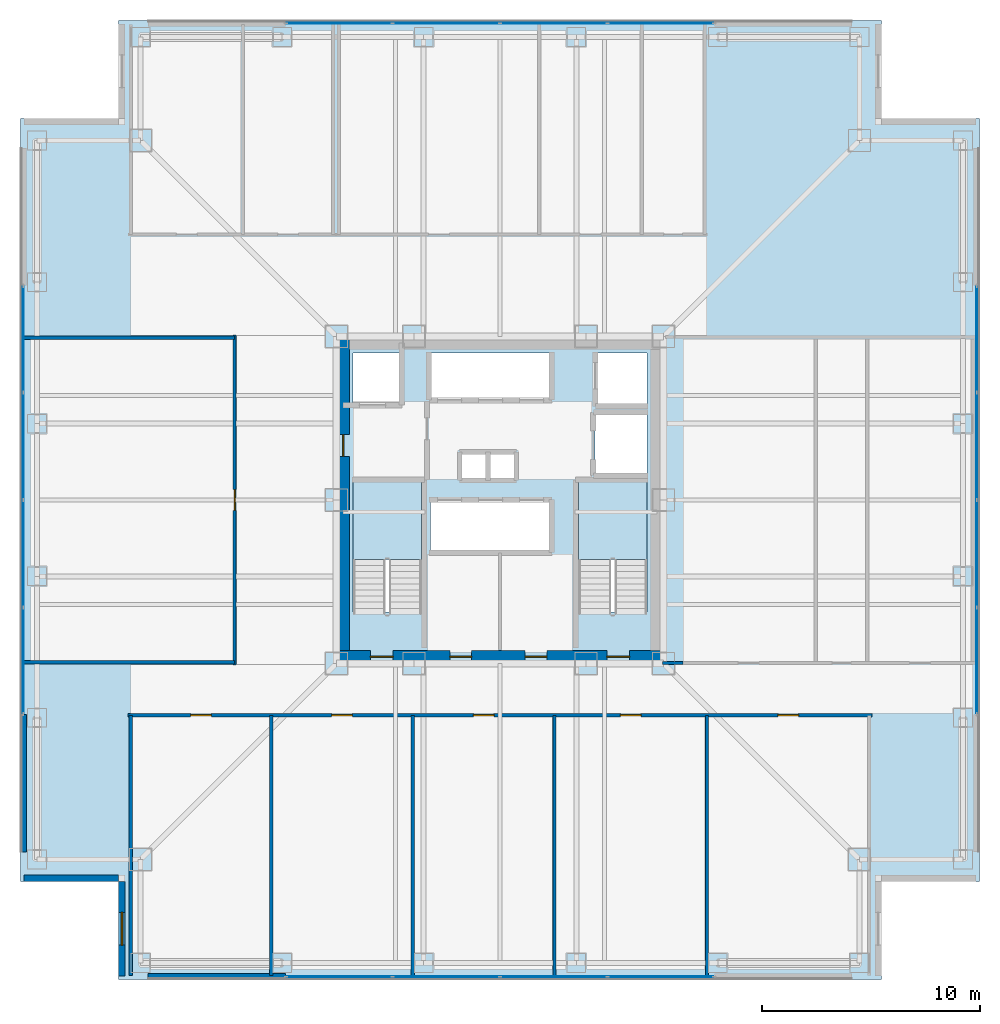
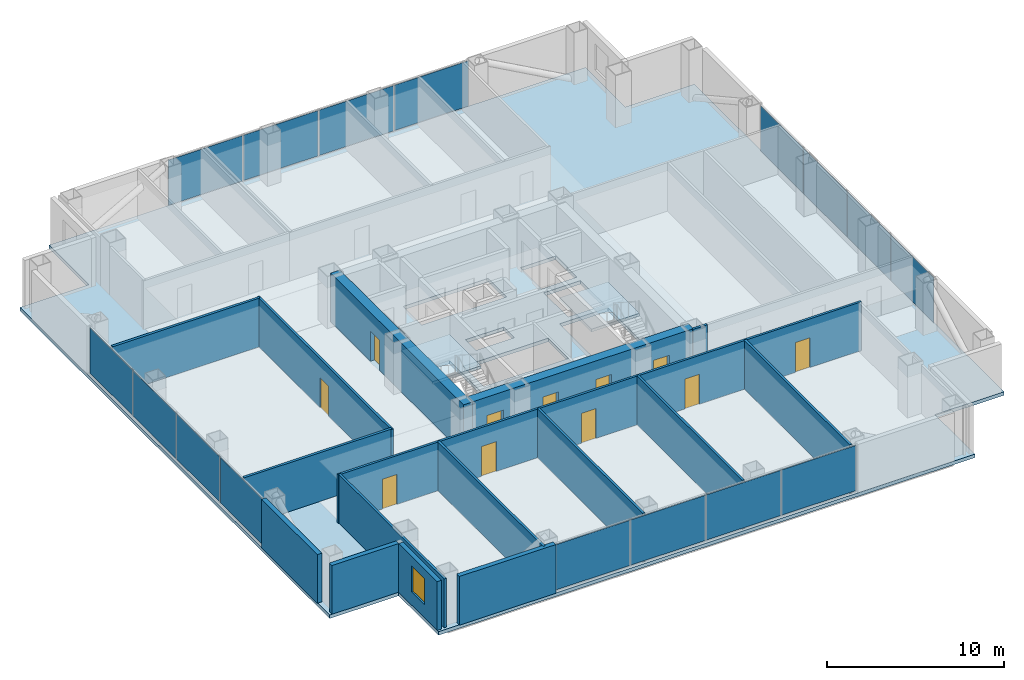
# One storey, part 8 of 13: 16 plates, 16 walls, 11 doors, 3 slabs, 1 window, 12 openings, 6 elements without a shape of their own.
"""IFC4 building model written with IfcOpenShell, lengths in metres."""

from ifc_helpers import new_model, si_unit, direction, frame, frame_2d, origin, origin_2d, place, context, subcontext, project, spatial, polyline, rectangle, outline, extrude, material, layer, layer_set, type_object, element, fill, aggregate, save


model = new_model("IFC4")

# Units and contexts
model_context = context("Model", 3, precision=1e-05, world=origin(), true_north=direction((0.0, 1.0)))
body_context = subcontext(model_context, "Body", "Model", "MODEL_VIEW")
ifc_project = project(units=[si_unit("LENGTHUNIT", "METRE"), si_unit("AREAUNIT", "SQUARE_METRE"), si_unit("VOLUMEUNIT", "CUBIC_METRE"), si_unit("PLANEANGLEUNIT", "RADIAN"), si_unit("MASSUNIT", "GRAM", prefix="KILO")], contexts=[model_context])

# Site, building, storey
site_placement = place(None, origin())
site = spatial("IfcSite", under=ifc_project, at=site_placement, CompositionType="ELEMENT")
building_placement = place(site_placement, origin())
building = spatial("IfcBuilding", under=site, at=building_placement, Name="Trevonay Congress Spire", CompositionType="ELEMENT")
storey_placement = place(building_placement, frame((0.0, 0.0, 112.0)))
storey = spatial("IfcBuildingStorey", under=building, at=storey_placement, Name="L28", CompositionType="ELEMENT", Elevation=112.0)

# Curtain wall, plates
ifc_material_1 = material(Name="Pale Anodised Aluminium EN AW-6063-T6", Category="aluminium")
ifc_layer_1 = layer(ifc_material_1, 0.175048828125, Name="Pale Anodised Aluminium EN AW-6063-T6")
ifc_layer_set_1 = layer_set([ifc_layer_1], Name="Pale Anodised Aluminium EN AW-6063-T6")
curtain_wall_type = type_object("IfcCurtainWallType", Name="CW-SYS03-CONGRESS-PALE-METAL", PredefinedType="NOTDEFINED", material=ifc_layer_set_1)
curtain_wall_1_placement = place(storey_placement, origin())
curtain_wall_1 = element("IfcCurtainWall", 1, at=curtain_wall_1_placement, inside=storey, type_object=curtain_wall_type, Name="L28 S unitised curtain wall", PredefinedType="NOTDEFINED")
ifc_material_2 = material(Name="Insulated Low-E Vision Glass IGU", Category="glass")
ifc_layer_2 = layer(ifc_material_2, 0.035888671875, Name="Insulated Low-E Vision Glass IGU")
ifc_layer_set_2 = layer_set([ifc_layer_2], Name="Insulated Low-E Vision Glass IGU")
plate_type = type_object("IfcPlateType", Name="CW-PANEL-IGU36-SILVER", PredefinedType="CURTAIN_PANEL", material=ifc_layer_set_2)
plate_1_placement = place(storey_placement, frame((-7.37255859375, -21.8798828125, 0.119873046875), z_axis=(0.0, 0.0, 1.0), x_axis=(1.0, 0.0, 0.0)))
plate_1 = element("IfcPlate", 2, at=plate_1_placement, type_object=plate_type, Name="CW03 panel 1.1", PredefinedType="CURTAIN_PANEL", context=body_context, shape_type="SweptSolid", body=[
    extrude(rectangle(XDim=4.8349609375, YDim=0.035888671875, at=origin_2d()), origin(), (0.0, 0.0, 1.0), 3.1201171875),
])
plate_2_placement = place(storey_placement, frame((-2.46240234375, -21.8798828125, 0.119873046875), z_axis=(0.0, 0.0, 1.0), x_axis=(1.0, 0.0, 0.0)))
plate_2 = element("IfcPlate", 3, at=plate_2_placement, type_object=plate_type, Name="CW03 panel 2.1", PredefinedType="CURTAIN_PANEL", context=body_context, shape_type="SweptSolid", body=[
    extrude(rectangle(XDim=4.864990234375, YDim=0.035888671875, at=origin_2d()), origin(), (0.0, 0.0, 1.0), 3.1201171875),
])
plate_3_placement = place(storey_placement, frame((2.46240234375, -21.8798828125, 0.119873046875), z_axis=(0.0, 0.0, 1.0), x_axis=(1.0, 0.0, 0.0)))
plate_3 = element("IfcPlate", 4, at=plate_3_placement, type_object=plate_type, Name="CW03 panel 3.1", PredefinedType="CURTAIN_PANEL", context=body_context, shape_type="SweptSolid", body=[
    extrude(rectangle(XDim=4.864990234375, YDim=0.035888671875, at=origin_2d()), origin(), (0.0, 0.0, 1.0), 3.1201171875),
])
plate_4_placement = place(storey_placement, frame((7.37255859375, -21.8798828125, 0.119873046875), z_axis=(0.0, 0.0, 1.0), x_axis=(1.0, 0.0, 0.0)))
plate_4 = element("IfcPlate", 5, at=plate_4_placement, type_object=plate_type, Name="CW03 panel 4.1", PredefinedType="CURTAIN_PANEL", context=body_context, shape_type="SweptSolid", body=[
    extrude(rectangle(XDim=4.8349609375, YDim=0.035888671875, at=origin_2d()), origin(), (0.0, 0.0, 1.0), 3.1201171875),
])
aggregate(curtain_wall_1, [plate_1, plate_2, plate_3, plate_4])

curtain_wall_2_placement = place(storey_placement, origin())
curtain_wall_2 = element("IfcCurtainWall", 6, at=curtain_wall_2_placement, inside=storey, type_object=curtain_wall_type, Name="L28 N unitised curtain wall", PredefinedType="NOTDEFINED")
plate_5_placement = place(storey_placement, frame((-7.37255859375, 21.8798828125, 0.119873046875), z_axis=(0.0, 0.0, 1.0), x_axis=(1.0, 0.0, 0.0)))
plate_5 = element("IfcPlate", 7, at=plate_5_placement, type_object=plate_type, Name="CW03 panel 1.1", PredefinedType="CURTAIN_PANEL", context=body_context, shape_type="SweptSolid", body=[
    extrude(rectangle(XDim=4.8349609375, YDim=0.035888671875, at=origin_2d()), origin(), (0.0, 0.0, 1.0), 3.1201171875),
])
plate_6_placement = place(storey_placement, frame((-2.46240234375, 21.8798828125, 0.119873046875), z_axis=(0.0, 0.0, 1.0), x_axis=(1.0, 0.0, 0.0)))
plate_6 = element("IfcPlate", 8, at=plate_6_placement, type_object=plate_type, Name="CW03 panel 2.1", PredefinedType="CURTAIN_PANEL", context=body_context, shape_type="SweptSolid", body=[
    extrude(rectangle(XDim=4.864990234375, YDim=0.035888671875, at=origin_2d()), origin(), (0.0, 0.0, 1.0), 3.1201171875),
])
plate_7_placement = place(storey_placement, frame((2.46240234375, 21.8798828125, 0.119873046875), z_axis=(0.0, 0.0, 1.0), x_axis=(1.0, 0.0, 0.0)))
plate_7 = element("IfcPlate", 9, at=plate_7_placement, type_object=plate_type, Name="CW03 panel 3.1", PredefinedType="CURTAIN_PANEL", context=body_context, shape_type="SweptSolid", body=[
    extrude(rectangle(XDim=4.864990234375, YDim=0.035888671875, at=origin_2d()), origin(), (0.0, 0.0, 1.0), 3.1201171875),
])
plate_8_placement = place(storey_placement, frame((7.37255859375, 21.8798828125, 0.119873046875), z_axis=(0.0, 0.0, 1.0), x_axis=(1.0, 0.0, 0.0)))
plate_8 = element("IfcPlate", 10, at=plate_8_placement, type_object=plate_type, Name="CW03 panel 4.1", PredefinedType="CURTAIN_PANEL", context=body_context, shape_type="SweptSolid", body=[
    extrude(rectangle(XDim=4.8349609375, YDim=0.035888671875, at=origin_2d()), origin(), (0.0, 0.0, 1.0), 3.1201171875),
])
aggregate(curtain_wall_2, [plate_5, plate_6, plate_7, plate_8])

curtain_wall_3_placement = place(storey_placement, origin())
curtain_wall_3 = element("IfcCurtainWall", 11, at=curtain_wall_3_placement, inside=storey, type_object=curtain_wall_type, Name="L28 W unitised curtain wall", PredefinedType="NOTDEFINED")
plate_9_placement = place(storey_placement, frame((-21.8798828125, -7.37255859375, 0.119873046875), z_axis=(0.0, 0.0, 1.0), x_axis=(0.0, 1.0, 0.0)))
plate_9 = element("IfcPlate", 12, at=plate_9_placement, type_object=plate_type, Name="CW03 panel 1.1", PredefinedType="CURTAIN_PANEL", context=body_context, shape_type="SweptSolid", body=[
    extrude(rectangle(XDim=4.8349609375, YDim=0.035888671875, at=origin_2d()), origin(), (0.0, 0.0, 1.0), 3.1201171875),
])
plate_10_placement = place(storey_placement, frame((-21.8798828125, -2.46240234375, 0.119873046875), z_axis=(0.0, 0.0, 1.0), x_axis=(0.0, 1.0, 0.0)))
plate_10 = element("IfcPlate", 13, at=plate_10_placement, type_object=plate_type, Name="CW03 panel 2.1", PredefinedType="CURTAIN_PANEL", context=body_context, shape_type="SweptSolid", body=[
    extrude(rectangle(XDim=4.864990234375, YDim=0.035888671875, at=origin_2d()), origin(), (0.0, 0.0, 1.0), 3.1201171875),
])
plate_11_placement = place(storey_placement, frame((-21.8798828125, 2.46240234375, 0.119873046875), z_axis=(0.0, 0.0, 1.0), x_axis=(0.0, 1.0, 0.0)))
plate_11 = element("IfcPlate", 14, at=plate_11_placement, type_object=plate_type, Name="CW03 panel 3.1", PredefinedType="CURTAIN_PANEL", context=body_context, shape_type="SweptSolid", body=[
    extrude(rectangle(XDim=4.864990234375, YDim=0.035888671875, at=origin_2d()), origin(), (0.0, 0.0, 1.0), 3.1201171875),
])
plate_12_placement = place(storey_placement, frame((-21.8798828125, 7.37255859375, 0.119873046875), z_axis=(0.0, 0.0, 1.0), x_axis=(0.0, 1.0, 0.0)))
plate_12 = element("IfcPlate", 15, at=plate_12_placement, type_object=plate_type, Name="CW03 panel 4.1", PredefinedType="CURTAIN_PANEL", context=body_context, shape_type="SweptSolid", body=[
    extrude(rectangle(XDim=4.8349609375, YDim=0.035888671875, at=origin_2d()), origin(), (0.0, 0.0, 1.0), 3.1201171875),
])
aggregate(curtain_wall_3, [plate_9, plate_10, plate_11, plate_12])

curtain_wall_4_placement = place(storey_placement, origin())
curtain_wall_4 = element("IfcCurtainWall", 16, at=curtain_wall_4_placement, inside=storey, type_object=curtain_wall_type, Name="L28 E unitised curtain wall", PredefinedType="NOTDEFINED")
plate_13_placement = place(storey_placement, frame((21.8798828125, -7.37255859375, 0.119873046875), z_axis=(0.0, 0.0, 1.0), x_axis=(0.0, 1.0, 0.0)))
plate_13 = element("IfcPlate", 17, at=plate_13_placement, type_object=plate_type, Name="CW03 panel 1.1", PredefinedType="CURTAIN_PANEL", context=body_context, shape_type="SweptSolid", body=[
    extrude(rectangle(XDim=4.8349609375, YDim=0.035888671875, at=origin_2d()), origin(), (0.0, 0.0, 1.0), 3.1201171875),
])
plate_14_placement = place(storey_placement, frame((21.8798828125, -2.46240234375, 0.119873046875), z_axis=(0.0, 0.0, 1.0), x_axis=(0.0, 1.0, 0.0)))
plate_14 = element("IfcPlate", 18, at=plate_14_placement, type_object=plate_type, Name="CW03 panel 2.1", PredefinedType="CURTAIN_PANEL", context=body_context, shape_type="SweptSolid", body=[
    extrude(rectangle(XDim=4.864990234375, YDim=0.035888671875, at=origin_2d()), origin(), (0.0, 0.0, 1.0), 3.1201171875),
])
plate_15_placement = place(storey_placement, frame((21.8798828125, 2.46240234375, 0.119873046875), z_axis=(0.0, 0.0, 1.0), x_axis=(0.0, 1.0, 0.0)))
plate_15 = element("IfcPlate", 19, at=plate_15_placement, type_object=plate_type, Name="CW03 panel 3.1", PredefinedType="CURTAIN_PANEL", context=body_context, shape_type="SweptSolid", body=[
    extrude(rectangle(XDim=4.864990234375, YDim=0.035888671875, at=origin_2d()), origin(), (0.0, 0.0, 1.0), 3.1201171875),
])
plate_16_placement = place(storey_placement, frame((21.8798828125, 7.37255859375, 0.119873046875), z_axis=(0.0, 0.0, 1.0), x_axis=(0.0, 1.0, 0.0)))
plate_16 = element("IfcPlate", 20, at=plate_16_placement, type_object=plate_type, Name="CW03 panel 4.1", PredefinedType="CURTAIN_PANEL", context=body_context, shape_type="SweptSolid", body=[
    extrude(rectangle(XDim=4.8349609375, YDim=0.035888671875, at=origin_2d()), origin(), (0.0, 0.0, 1.0), 3.1201171875),
])
aggregate(curtain_wall_4, [plate_13, plate_14, plate_15, plate_16])

# Stair, slab
ifc_material_3 = material(Name="Concrete C40/50", Category="concrete")
stair_type_1 = type_object("IfcStairType", Name="STR-ST-1", PredefinedType="HALF_TURN_STAIR", material=ifc_material_3)
stair_1_placement = place(storey_placement, origin())
stair_1 = element("IfcStair", 21, at=stair_1_placement, inside=storey, type_object=stair_type_1, Name="L28 Protected Exit Stair ST-1", PredefinedType="HALF_TURN_STAIR")
ifc_layer_3 = layer(ifc_material_3, 0.199951171875, Name="Concrete C40/50")
ifc_layer_set_3 = layer_set([ifc_layer_3], Name="Concrete C40/50")
slab_type_1 = type_object("IfcSlabType", Name="SLB-STAIR-LAND-200", PredefinedType="LANDING", material=ifc_layer_set_3)
slab_1_placement = place(storey_placement, frame((0.0, 0.0, 1.60009765625)))
slab_1 = element("IfcSlab", 22, at=slab_1_placement, type_object=slab_type_1, Name="ST-1 landing 1", PredefinedType="LANDING", context=body_context, shape_type="SweptSolid", body=[
    extrude(outline(polyline([(-3.60009765625, -2.72998046875), (-3.60009765625, 0.85009765625), (-6.75, 0.85009765625), (-6.75, -2.72998046875), (-3.60009765625, -2.72998046875)])), origin(), (0.0, 0.0, 1.0), 0.199951171875),
])
aggregate(stair_1, [slab_1])

stair_type_2 = type_object("IfcStairType", Name="STR-ST-2", PredefinedType="HALF_TURN_STAIR", material=ifc_material_3)
stair_2_placement = place(storey_placement, origin())
stair_2 = element("IfcStair", 23, at=stair_2_placement, inside=storey, type_object=stair_type_2, Name="L28 Protected Exit Stair ST-2", PredefinedType="HALF_TURN_STAIR")
slab_2_placement = place(storey_placement, frame((0.0, 0.0, 1.60009765625)))
slab_2 = element("IfcSlab", 24, at=slab_2_placement, type_object=slab_type_1, Name="ST-2 landing 1", PredefinedType="LANDING", context=body_context, shape_type="SweptSolid", body=[
    extrude(outline(polyline([(6.75, -2.72998046875), (6.75, 0.85009765625), (3.60009765625, 0.85009765625), (3.60009765625, -2.72998046875), (6.75, -2.72998046875)])), origin(), (0.0, 0.0, 1.0), 0.199951171875),
])
aggregate(stair_2, [slab_2])

# Slab
ifc_layer_4 = layer(ifc_material_3, 0.239990234375, Name="Concrete C40/50")
ifc_layer_set_4 = layer_set([ifc_layer_4], Name="Concrete C40/50")
slab_type_2 = type_object("IfcSlabType", Name="SLB-TOW2-240", PredefinedType="FLOOR", material=ifc_layer_set_4)
slab_3_placement = place(storey_placement, frame((0.0, 0.0, -0.239990234375)))
element("IfcSlab", 25, at=slab_3_placement, inside=storey, type_object=slab_type_2, Name="L28 structural floor slab", PredefinedType="FLOOR", context=body_context, shape_type="SweptSolid", body=[
    extrude(outline(polyline([(-17.5, -22.0), (17.5, -22.0), (17.5, -17.5), (22.0, -17.5), (22.0, 17.5), (17.5, 17.5), (17.5, 22.0), (-17.5, 22.0), (-17.5, 17.5), (-22.0, 17.5), (-22.0, -17.5), (-17.5, -17.5), (-17.5, -22.0)]), holes=[polyline([(-3.60009765625, -5.14990234375), (-3.60009765625, 0.85009765625), (-6.75, 0.85009765625), (-6.75, -5.14990234375), (-3.60009765625, -5.14990234375)]), polyline([(6.75, -5.14990234375), (6.75, 0.85009765625), (3.60009765625, 0.85009765625), (3.60009765625, -5.14990234375), (6.75, -5.14990234375)]), polyline([(-3.199951171875, -2.35009765625), (2.340087890625, -2.35009765625), (2.340087890625, -0.050048828125), (-3.199951171875, -0.050048828125), (-3.199951171875, -2.35009765625)]), polyline([(-3.199951171875, 4.64990234375), (2.340087890625, 4.64990234375), (2.340087890625, 6.75), (-3.199951171875, 6.75), (-3.199951171875, 4.64990234375)]), polyline([(-6.75, 4.35009765625), (-4.449951171875, 4.35009765625), (-4.449951171875, 6.75), (-6.75, 6.75), (-6.75, 4.35009765625)]), polyline([(4.449951171875, 4.35009765625), (6.75, 4.35009765625), (6.75, 6.75), (4.449951171875, 6.75), (4.449951171875, 4.35009765625)]), polyline([(4.35009765625, 1.199951171875), (6.75, 1.199951171875), (6.75, 3.949951171875), (4.35009765625, 3.949951171875), (4.35009765625, 1.199951171875)]), polyline([(-1.800048828125, 0.949951171875), (0.699951171875, 0.949951171875), (0.699951171875, 2.14990234375), (-1.800048828125, 2.14990234375), (-1.800048828125, 0.949951171875)])]), origin(), (0.0, 0.0, 1.0), 0.239990234375),
])

# Wall, openings, doors
ifc_material_4 = material(Name="Concrete C60/75", Category="concrete")
ifc_layer_5 = layer(ifc_material_4, 0.60009765625, Name="Concrete C60/75")
ifc_layer_set_5 = layer_set([ifc_layer_5], Name="Concrete C60/75")
wall_type_1 = type_object("IfcWallType", Name="WAL-CORE-600", PredefinedType="SHEAR", material=ifc_layer_set_5)
wall_1_placement = place(storey_placement, frame((-7.5, -7.199951171875, 0.0), z_axis=(0.0, 0.0, 1.0), x_axis=(1.0, 0.0, 0.0)))
wall_1 = element("IfcWall", 26, at=wall_1_placement, inside=storey, type_object=wall_type_1, Name="L28 South structural core shear wall", PredefinedType="SHEAR", context=body_context, shape_type="SweptSolid", body=[
    extrude(rectangle(XDim=15.0, YDim=0.60009765625, at=frame_2d((7.5, 0.0))), origin(), (0.0, 0.0, 1.0), 3.360107421875),
])
opening_1_placement = place(wall_1_placement, frame((1.550048828125, 0.0, 0.0)))
opening_1 = element("IfcOpeningElement", 27, at=opening_1_placement, cuts=wall_1, Name="Opening D05", PredefinedType="OPENING", context=body_context, shape_type="SweptSolid", body=[
    extrude(rectangle(XDim=1.050048828125, YDim=2.080078125, at=frame_2d((0.52490234375, 1.0400390625))), frame((0.0, 0.31005859375, 0.0), z_axis=(0.0, -1.0, 0.0), x_axis=(1.0, 0.0, 0.0)), (0.0, 0.0, 1.0), 0.6201171875),
])
opening_2_placement = place(wall_1_placement, frame((12.39990234375, 0.0, 0.0)))
opening_2 = element("IfcOpeningElement", 28, at=opening_2_placement, cuts=wall_1, Name="Opening D05", PredefinedType="OPENING", context=body_context, shape_type="SweptSolid", body=[
    extrude(rectangle(XDim=1.050048828125, YDim=2.080078125, at=frame_2d((0.52490234375, 1.0400390625))), frame((0.0, 0.31005859375, 0.0), z_axis=(0.0, -1.0, 0.0), x_axis=(1.0, 0.0, 0.0)), (0.0, 0.0, 1.0), 0.6201171875),
])
opening_3_placement = place(wall_1_placement, frame((5.199951171875, 0.0, 0.0)))
opening_3 = element("IfcOpeningElement", 29, at=opening_3_placement, cuts=wall_1, Name="Opening D06", PredefinedType="OPENING", context=body_context, shape_type="SweptSolid", body=[
    extrude(rectangle(XDim=1.0, YDim=2.080078125, at=frame_2d((0.5, 1.0400390625))), frame((0.0, 0.31005859375, 0.0), z_axis=(0.0, -1.0, 0.0), x_axis=(1.0, 0.0, 0.0)), (0.0, 0.0, 1.0), 0.6201171875),
])
opening_4_placement = place(wall_1_placement, frame((8.64990234375, 0.0, 0.0)))
opening_4 = element("IfcOpeningElement", 30, at=opening_4_placement, cuts=wall_1, Name="Opening D06", PredefinedType="OPENING", context=body_context, shape_type="SweptSolid", body=[
    extrude(rectangle(XDim=1.0, YDim=2.080078125, at=frame_2d((0.5, 1.0400390625))), frame((0.0, 0.31005859375, 0.0), z_axis=(0.0, -1.0, 0.0), x_axis=(1.0, 0.0, 0.0)), (0.0, 0.0, 1.0), 0.6201171875),
])
ifc_material_5 = material(Name="Steel ASTM A572 Grade 50", Category="steel")
door_type_1 = type_object("IfcDoorType", Name="DOR-FIRE-100", OperationType="NOTDEFINED", PredefinedType="DOOR", material=ifc_material_5)
door_1_placement = place(opening_3_placement, origin())
door_1 = element("IfcDoor", 31, at=door_1_placement, inside=storey, type_object=door_type_1, Name="L28 South Core Room 1 Door", OperationType="SINGLE_SWING_RIGHT", OverallHeight=2.080078125, OverallWidth=1.0, PredefinedType="DOOR", context=body_context, shape_type="SweptSolid", body=[
    extrude(rectangle(XDim=1.0, YDim=2.080078125, at=frame_2d((0.5, 1.0400390625))), frame((0.0, 0.02490234375, 0.0), z_axis=(0.0, -1.0, 0.0), x_axis=(1.0, 0.0, 0.0)), (0.0, 0.0, 1.0), 0.050048828125),
])
fill(opening_3, door_1)
door_2_placement = place(opening_4_placement, origin())
door_2 = element("IfcDoor", 32, at=door_2_placement, inside=storey, type_object=door_type_1, Name="L28 South Core Room 2 Door", OperationType="SINGLE_SWING_LEFT", OverallHeight=2.080078125, OverallWidth=1.0, PredefinedType="DOOR", context=body_context, shape_type="SweptSolid", body=[
    extrude(rectangle(XDim=1.0, YDim=2.080078125, at=frame_2d((0.5, 1.0400390625))), frame((0.0, 0.02490234375, 0.0), z_axis=(0.0, -1.0, 0.0), x_axis=(1.0, 0.0, 0.0)), (0.0, 0.0, 1.0), 0.050048828125),
])
fill(opening_4, door_2)
door_type_2 = type_object("IfcDoorType", Name="DOR-STAIR-110", OperationType="NOTDEFINED", PredefinedType="DOOR", material=ifc_material_5)
door_3_placement = place(opening_1_placement, origin())
door_3 = element("IfcDoor", 33, at=door_3_placement, inside=storey, type_object=door_type_2, Name="L28 Protected Stair ST-1 Door", OperationType="SINGLE_SWING_LEFT", OverallHeight=2.080078125, OverallWidth=1.050048828125, PredefinedType="DOOR", context=body_context, shape_type="SweptSolid", body=[
    extrude(rectangle(XDim=1.050048828125, YDim=2.080078125, at=frame_2d((0.52490234375, 1.0400390625))), frame((0.0, 0.02490234375, 0.0), z_axis=(0.0, -1.0, 0.0), x_axis=(1.0, 0.0, 0.0)), (0.0, 0.0, 1.0), 0.050048828125),
])
fill(opening_1, door_3)
door_4_placement = place(opening_2_placement, origin())
door_4 = element("IfcDoor", 34, at=door_4_placement, inside=storey, type_object=door_type_2, Name="L28 Protected Stair ST-2 Door", OperationType="SINGLE_SWING_RIGHT", OverallHeight=2.080078125, OverallWidth=1.050048828125, PredefinedType="DOOR", context=body_context, shape_type="SweptSolid", body=[
    extrude(rectangle(XDim=1.050048828125, YDim=2.080078125, at=frame_2d((0.52490234375, 1.0400390625))), frame((0.0, 0.02490234375, 0.0), z_axis=(0.0, -1.0, 0.0), x_axis=(1.0, 0.0, 0.0)), (0.0, 0.0, 1.0), 0.050048828125),
])
fill(opening_2, door_4)

# Wall, opening, door
wall_2_placement = place(storey_placement, frame((-7.199951171875, -7.5, 0.0), z_axis=(0.0, 0.0, 1.0), x_axis=(0.0, 1.0, 0.0)))
wall_2 = element("IfcWall", 35, at=wall_2_placement, inside=storey, type_object=wall_type_1, Name="L28 West structural core shear wall", PredefinedType="SHEAR", context=body_context, shape_type="SweptSolid", body=[
    extrude(rectangle(XDim=15.0, YDim=0.60009765625, at=frame_2d((7.5, 0.0))), origin(), (0.0, 0.0, 1.0), 3.360107421875),
])
opening_5_placement = place(wall_2_placement, frame((9.5, 0.0, 0.0)))
opening_5 = element("IfcOpeningElement", 36, at=opening_5_placement, cuts=wall_2, Name="Opening D06", PredefinedType="OPENING", context=body_context, shape_type="SweptSolid", body=[
    extrude(rectangle(XDim=1.0, YDim=2.080078125, at=frame_2d((0.5, 1.0400390625))), frame((0.0, 0.31005859375, 0.0), z_axis=(0.0, -1.0, 0.0), x_axis=(1.0, 0.0, 0.0)), (0.0, 0.0, 1.0), 0.6201171875),
])
door_5_placement = place(opening_5_placement, origin())
door_5 = element("IfcDoor", 37, at=door_5_placement, inside=storey, type_object=door_type_1, Name="L28 Firefighting Lift Lobby West Corridor Door", OperationType="SINGLE_SWING_LEFT", OverallHeight=2.080078125, OverallWidth=1.0, PredefinedType="DOOR", context=body_context, shape_type="SweptSolid", body=[
    extrude(rectangle(XDim=1.0, YDim=2.080078125, at=frame_2d((0.5, 1.0400390625))), frame((0.0, 0.02490234375, 0.0), z_axis=(0.0, -1.0, 0.0), x_axis=(1.0, 0.0, 0.0)), (0.0, 0.0, 1.0), 0.050048828125),
])
fill(opening_5, door_5)

# Wall, openings, doors
ifc_layer_6 = layer(ifc_material_3, 0.14990234375, Name="Concrete C40/50")
ifc_layer_set_6 = layer_set([ifc_layer_6], Name="Concrete C40/50")
wall_type_2 = type_object("IfcWallType", Name="WAL-CORR-150", PredefinedType="PARTITIONING", material=ifc_layer_set_6)
wall_3_placement = place(storey_placement, frame((-17.070068359375, -9.8798828125, 0.0), z_axis=(0.0, 0.0, 1.0), x_axis=(1.0, 0.0, 0.0)))
wall_3 = element("IfcWall", 38, at=wall_3_placement, inside=storey, type_object=wall_type_2, Name="L28 interior wall WP-L28S-COR", PredefinedType="PARTITIONING", context=body_context, shape_type="SweptSolid", body=[
    extrude(rectangle(XDim=34.14013671875, YDim=0.14990234375, at=frame_2d((17.070068359375, 0.0))), origin(), (0.0, 0.0, 1.0), 3.360107421875),
])
opening_6_placement = place(wall_3_placement, frame((2.8701171875, 0.0, 0.0)))
opening_6 = element("IfcOpeningElement", 39, at=opening_6_placement, cuts=wall_3, Name="Opening D07", PredefinedType="OPENING", context=body_context, shape_type="SweptSolid", body=[
    extrude(rectangle(XDim=0.949951171875, YDim=2.06005859375, at=frame_2d((0.47509765625, 1.030029296875))), frame((0.0, 0.0849609375, 0.0), z_axis=(0.0, -1.0, 0.0), x_axis=(1.0, 0.0, 0.0)), (0.0, 0.0, 1.0), 0.169921875),
])
opening_7_placement = place(wall_3_placement, frame((9.344970703125, 0.0, 0.0)))
opening_7 = element("IfcOpeningElement", 40, at=opening_7_placement, cuts=wall_3, Name="Opening D07", PredefinedType="OPENING", context=body_context, shape_type="SweptSolid", body=[
    extrude(rectangle(XDim=0.949951171875, YDim=2.06005859375, at=frame_2d((0.47509765625, 1.030029296875))), frame((0.0, 0.0849609375, 0.0), z_axis=(0.0, -1.0, 0.0), x_axis=(1.0, 0.0, 0.0)), (0.0, 0.0, 1.0), 0.169921875),
])
opening_8_placement = place(wall_3_placement, frame((15.844970703125, 0.0, 0.0)))
opening_8 = element("IfcOpeningElement", 41, at=opening_8_placement, cuts=wall_3, Name="Opening D07", PredefinedType="OPENING", context=body_context, shape_type="SweptSolid", body=[
    extrude(rectangle(XDim=0.949951171875, YDim=2.06005859375, at=frame_2d((0.47509765625, 1.030029296875))), frame((0.0, 0.0849609375, 0.0), z_axis=(0.0, -1.0, 0.0), x_axis=(1.0, 0.0, 0.0)), (0.0, 0.0, 1.0), 0.169921875),
])
opening_9_placement = place(wall_3_placement, frame((22.594970703125, 0.0, 0.0)))
opening_9 = element("IfcOpeningElement", 42, at=opening_9_placement, cuts=wall_3, Name="Opening D07", PredefinedType="OPENING", context=body_context, shape_type="SweptSolid", body=[
    extrude(rectangle(XDim=0.949951171875, YDim=2.06005859375, at=frame_2d((0.47509765625, 1.030029296875))), frame((0.0, 0.0849609375, 0.0), z_axis=(0.0, -1.0, 0.0), x_axis=(1.0, 0.0, 0.0)), (0.0, 0.0, 1.0), 0.169921875),
])
opening_10_placement = place(wall_3_placement, frame((29.820068359375, 0.0, 0.0)))
opening_10 = element("IfcOpeningElement", 43, at=opening_10_placement, cuts=wall_3, Name="Opening D07", PredefinedType="OPENING", context=body_context, shape_type="SweptSolid", body=[
    extrude(rectangle(XDim=0.949951171875, YDim=2.06005859375, at=frame_2d((0.47509765625, 1.030029296875))), frame((0.0, 0.0849609375, 0.0), z_axis=(0.0, -1.0, 0.0), x_axis=(1.0, 0.0, 0.0)), (0.0, 0.0, 1.0), 0.169921875),
])
door_type_3 = type_object("IfcDoorType", Name="DOR-OFFICE-95", OperationType="NOTDEFINED", PredefinedType="DOOR", material=ifc_material_1)
door_6_placement = place(opening_6_placement, origin())
door_6 = element("IfcDoor", 44, at=door_6_placement, inside=storey, type_object=door_type_3, Name="L28 Economic Secretariat Office 1 Door", OperationType="SINGLE_SWING_LEFT", OverallHeight=2.06005859375, OverallWidth=0.949951171875, PredefinedType="DOOR", context=body_context, shape_type="SweptSolid", body=[
    extrude(rectangle(XDim=0.949951171875, YDim=2.06005859375, at=frame_2d((0.47509765625, 1.030029296875))), frame((0.0, 0.02490234375, 0.0), z_axis=(0.0, -1.0, 0.0), x_axis=(1.0, 0.0, 0.0)), (0.0, 0.0, 1.0), 0.050048828125),
])
fill(opening_6, door_6)
door_7_placement = place(opening_7_placement, origin())
door_7 = element("IfcDoor", 45, at=door_7_placement, inside=storey, type_object=door_type_3, Name="L28 Economic Secretariat Office 2 Door", OperationType="SINGLE_SWING_RIGHT", OverallHeight=2.06005859375, OverallWidth=0.949951171875, PredefinedType="DOOR", context=body_context, shape_type="SweptSolid", body=[
    extrude(rectangle(XDim=0.949951171875, YDim=2.06005859375, at=frame_2d((0.47509765625, 1.030029296875))), frame((0.0, 0.02490234375, 0.0), z_axis=(0.0, -1.0, 0.0), x_axis=(1.0, 0.0, 0.0)), (0.0, 0.0, 1.0), 0.050048828125),
])
fill(opening_7, door_7)
door_8_placement = place(opening_8_placement, origin())
door_8 = element("IfcDoor", 46, at=door_8_placement, inside=storey, type_object=door_type_3, Name="L28 Legal Counsel Office 3 Door", OperationType="SINGLE_SWING_LEFT", OverallHeight=2.06005859375, OverallWidth=0.949951171875, PredefinedType="DOOR", context=body_context, shape_type="SweptSolid", body=[
    extrude(rectangle(XDim=0.949951171875, YDim=2.06005859375, at=frame_2d((0.47509765625, 1.030029296875))), frame((0.0, 0.02490234375, 0.0), z_axis=(0.0, -1.0, 0.0), x_axis=(1.0, 0.0, 0.0)), (0.0, 0.0, 1.0), 0.050048828125),
])
fill(opening_8, door_8)
door_9_placement = place(opening_9_placement, origin())
door_9 = element("IfcDoor", 47, at=door_9_placement, inside=storey, type_object=door_type_3, Name="L28 Statistical Analysis Office 4 Door", OperationType="SINGLE_SWING_RIGHT", OverallHeight=2.06005859375, OverallWidth=0.949951171875, PredefinedType="DOOR", context=body_context, shape_type="SweptSolid", body=[
    extrude(rectangle(XDim=0.949951171875, YDim=2.06005859375, at=frame_2d((0.47509765625, 1.030029296875))), frame((0.0, 0.02490234375, 0.0), z_axis=(0.0, -1.0, 0.0), x_axis=(1.0, 0.0, 0.0)), (0.0, 0.0, 1.0), 0.050048828125),
])
fill(opening_9, door_9)
door_10_placement = place(opening_10_placement, origin())
door_10 = element("IfcDoor", 48, at=door_10_placement, inside=storey, type_object=door_type_3, Name="L28 Directorate Corner Office Door", OperationType="SINGLE_SWING_LEFT", OverallHeight=2.06005859375, OverallWidth=0.949951171875, PredefinedType="DOOR", context=body_context, shape_type="SweptSolid", body=[
    extrude(rectangle(XDim=0.949951171875, YDim=2.06005859375, at=frame_2d((0.47509765625, 1.030029296875))), frame((0.0, 0.02490234375, 0.0), z_axis=(0.0, -1.0, 0.0), x_axis=(1.0, 0.0, 0.0)), (0.0, 0.0, 1.0), 0.050048828125),
])
fill(opening_10, door_10)

# Wall, opening, door
wall_4_placement = place(storey_placement, frame((-12.179931640625, -7.570068359375, 0.0), z_axis=(0.0, 0.0, 1.0), x_axis=(0.0, 1.0, 0.0)))
wall_4 = element("IfcWall", 49, at=wall_4_placement, inside=storey, type_object=wall_type_2, Name="L28 interior wall WP-L28W-COR", PredefinedType="PARTITIONING", context=body_context, shape_type="SweptSolid", body=[
    extrude(rectangle(XDim=15.14013671875, YDim=0.14990234375, at=frame_2d((7.570068359375, 0.0))), origin(), (0.0, 0.0, 1.0), 3.360107421875),
])
opening_11_placement = place(wall_4_placement, frame((7.094970703125, 0.0, 0.0)))
opening_11 = element("IfcOpeningElement", 50, at=opening_11_placement, cuts=wall_4, Name="Opening D07", PredefinedType="OPENING", context=body_context, shape_type="SweptSolid", body=[
    extrude(rectangle(XDim=0.949951171875, YDim=2.06005859375, at=frame_2d((0.47509765625, 1.030029296875))), frame((0.0, 0.0849609375, 0.0), z_axis=(0.0, -1.0, 0.0), x_axis=(1.0, 0.0, 0.0)), (0.0, 0.0, 1.0), 0.169921875),
])
door_11_placement = place(opening_11_placement, origin())
door_11 = element("IfcDoor", 51, at=door_11_placement, inside=storey, type_object=door_type_3, Name="L28 West Open-Plan Research Office Door", OperationType="SINGLE_SWING_RIGHT", OverallHeight=2.06005859375, OverallWidth=0.949951171875, PredefinedType="DOOR", context=body_context, shape_type="SweptSolid", body=[
    extrude(rectangle(XDim=0.949951171875, YDim=2.06005859375, at=frame_2d((0.47509765625, 1.030029296875))), frame((0.0, 0.02490234375, 0.0), z_axis=(0.0, -1.0, 0.0), x_axis=(1.0, 0.0, 0.0)), (0.0, 0.0, 1.0), 0.050048828125),
])
fill(opening_11, door_11)

# Walls
wall_5_placement = place(storey_placement, frame((7.449951171875, -7.47998046875, 0.0), z_axis=(0.0, 0.0, 1.0), x_axis=(1.0, 0.0, 0.0)))
element("IfcWall", 52, at=wall_5_placement, inside=storey, type_object=wall_type_2, Name="L28 interior wall WP-L28E-STUB", PredefinedType="PARTITIONING", context=body_context, shape_type="SweptSolid", body=[
    extrude(rectangle(XDim=0.949951171875, YDim=0.14990234375, at=frame_2d((0.47509765625, 0.0))), origin(), (0.0, 0.0, 1.0), 3.360107421875),
])
ifc_material_6 = material(Name="Precast concrete C40/50", Category="concrete")
ifc_layer_7 = layer(ifc_material_6, 0.300048828125, Name="Precast concrete C40/50")
ifc_layer_set_7 = layer_set([ifc_layer_7], Name="Precast concrete C40/50")
wall_type_3 = type_object("IfcWallType", Name="WAL-EXT-PRECAST-300", PredefinedType="SOLIDWALL", material=ifc_layer_set_7)
for number, where, z_axis, x_axis, name in (
    (53, (-16.14990234375, -21.8798828125, 0.0), (0.0, 0.0, 1.0), (1.0, 0.0, 0.0), "L28 SL braced-bay exterior pier wall"),
    (54, (-21.8798828125, -16.14990234375, 0.0), (0.0, 0.0, 1.0), (0.0, 1.0, 0.0), "L28 WL braced-bay exterior pier wall"),
):
    element("IfcWall", number, at=place(storey_placement, frame(where, z_axis=z_axis, x_axis=x_axis)), inside=storey, type_object=wall_type_3, Name=name, PredefinedType="SOLIDWALL", context=body_context, shape_type="SweptSolid", body=[
        extrude(rectangle(XDim=6.2998046875, YDim=0.300048828125, at=frame_2d((3.14990234375, 0.0))), origin(), (0.0, 0.0, 1.0), 3.360107421875),
    ])

# Wall, opening, window
wall_6_placement = place(storey_placement, frame((-17.35009765625, -21.85009765625, 0.0), z_axis=(0.0, 0.0, 1.0), x_axis=(0.0, 1.0, 0.0)))
wall_6 = element("IfcWall", 55, at=wall_6_placement, inside=storey, type_object=wall_type_3, Name="L28 SW re-entrant notch exterior wall 1", PredefinedType="SOLIDWALL", context=body_context, shape_type="SweptSolid", body=[
    extrude(rectangle(XDim=4.35009765625, YDim=0.300048828125, at=frame_2d((2.175048828125, 0.0))), origin(), (0.0, 0.0, 1.0), 3.360107421875),
])
opening_12_placement = place(wall_6_placement, frame((1.425048828125, 0.0, 0.89990234375)))
opening_12 = element("IfcOpeningElement", 56, at=opening_12_placement, cuts=wall_6, Name="Opening WN03", PredefinedType="OPENING", context=body_context, shape_type="SweptSolid", body=[
    extrude(rectangle(XDim=1.5, YDim=1.800048828125, at=frame_2d((0.75, 0.89990234375))), frame((0.0, 0.16015625, 0.0), z_axis=(0.0, -1.0, 0.0), x_axis=(1.0, 0.0, 0.0)), (0.0, 0.0, 1.0), 0.320068359375),
])
window_type = type_object("IfcWindowType", Name="WIN-NOTCH-150X180", PartitioningType="SINGLE_PANEL", PredefinedType="WINDOW", material=ifc_material_2)
window_placement = place(opening_12_placement, origin())
window = element("IfcWindow", 57, at=window_placement, inside=storey, type_object=window_type, Name="L28 SW corner notch window", OverallHeight=1.800048828125, OverallWidth=1.5, PartitioningType="SINGLE_PANEL", PredefinedType="WINDOW", context=body_context, shape_type="SweptSolid", body=[
    extrude(rectangle(XDim=1.5, YDim=1.800048828125, at=frame_2d((0.75, 0.89990234375))), frame((0.0, 0.030029296875, 0.0), z_axis=(0.0, -1.0, 0.0), x_axis=(1.0, 0.0, 0.0)), (0.0, 0.0, 1.0), 0.06005859375),
])
fill(opening_12, window)

# Walls
wall_7_placement = place(storey_placement, frame((-21.85009765625, -17.35009765625, 0.0), z_axis=(0.0, 0.0, 1.0), x_axis=(1.0, 0.0, 0.0)))
element("IfcWall", 58, at=wall_7_placement, inside=storey, type_object=wall_type_3, Name="L28 SW re-entrant notch exterior wall 2", PredefinedType="SOLIDWALL", context=body_context, shape_type="SweptSolid", body=[
    extrude(rectangle(XDim=4.35009765625, YDim=0.300048828125, at=frame_2d((2.175048828125, 0.0))), origin(), (0.0, 0.0, 1.0), 3.360107421875),
])
ifc_layer_8 = layer(ifc_material_3, 0.14990234375, Name="Concrete C40/50")
ifc_layer_set_8 = layer_set([ifc_layer_8], Name="Concrete C40/50")
wall_type_4 = type_object("IfcWallType", Name="WAL-PART-150", PredefinedType="PARTITIONING", material=ifc_layer_set_8)
for number, where, z_axis, x_axis, name in (
    (59, (-16.949951171875, -21.820068359375, 0.0), (0.0, 0.0, 1.0), (0.0, 1.0, 0.0), "L28 interior wall WP-L28S-DIV1"),
    (60, (-10.5, -21.820068359375, 0.0), (0.0, 0.0, 1.0), (0.0, 1.0, 0.0), "L28 interior wall WP-L28S-DIV2"),
    (61, (-4.0, -21.820068359375, 0.0), (0.0, 0.0, 1.0), (0.0, 1.0, 0.0), "L28 interior wall WP-L28S-DIV3"),
    (62, (2.5, -21.820068359375, 0.0), (0.0, 0.0, 1.0), (0.0, 1.0, 0.0), "L28 interior wall WP-L28S-DIV4"),
    (63, (9.5, -21.820068359375, 0.0), (0.0, 0.0, 1.0), (0.0, 1.0, 0.0), "L28 interior wall WP-L28S-DIV5"),
):
    element("IfcWall", number, at=place(storey_placement, frame(where, z_axis=z_axis, x_axis=x_axis)), inside=storey, type_object=wall_type_4, Name=name, PredefinedType="PARTITIONING", context=body_context, shape_type="SweptSolid", body=[
        extrude(rectangle(XDim=11.940185546875, YDim=0.14990234375, at=frame_2d((5.97021484375, 0.0))), origin(), (0.0, 0.0, 1.0), 3.360107421875),
    ])
ifc_layer_9 = layer(ifc_material_3, 0.1650390625, Name="Concrete C40/50")
ifc_layer_set_9 = layer_set([ifc_layer_9], Name="Concrete C40/50")
wall_type_5 = type_object("IfcWallType", Name="WAL-WET-165", PredefinedType="PLUMBINGWALL", material=ifc_layer_set_9)
for number, where, z_axis, x_axis, name in (
    (64, (-21.820068359375, -7.449951171875, 0.0), (0.0, 0.0, 1.0), (1.0, 0.0, 0.0), "L28 interior wall WP-L28W-DIV1"),
    (65, (-21.820068359375, 7.449951171875, 0.0), (0.0, 0.0, 1.0), (1.0, 0.0, 0.0), "L28 interior wall WP-L28W-DIV2"),
):
    element("IfcWall", number, at=place(storey_placement, frame(where, z_axis=z_axis, x_axis=x_axis)), inside=storey, type_object=wall_type_5, Name=name, PredefinedType="PLUMBINGWALL", context=body_context, shape_type="SweptSolid", body=[
        extrude(rectangle(XDim=9.64013671875, YDim=0.1650390625, at=frame_2d((4.820068359375, 0.0))), origin(), (0.0, 0.0, 1.0), 3.360107421875),
    ])

save(model, "model.ifc")
